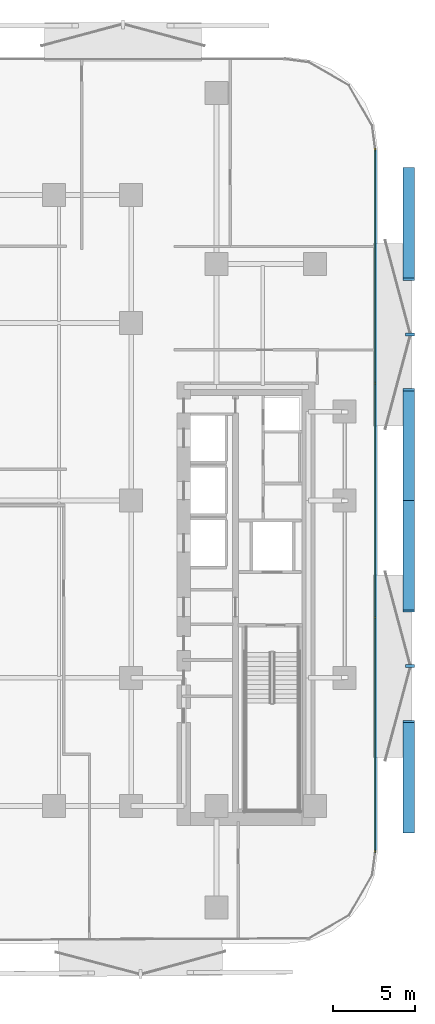
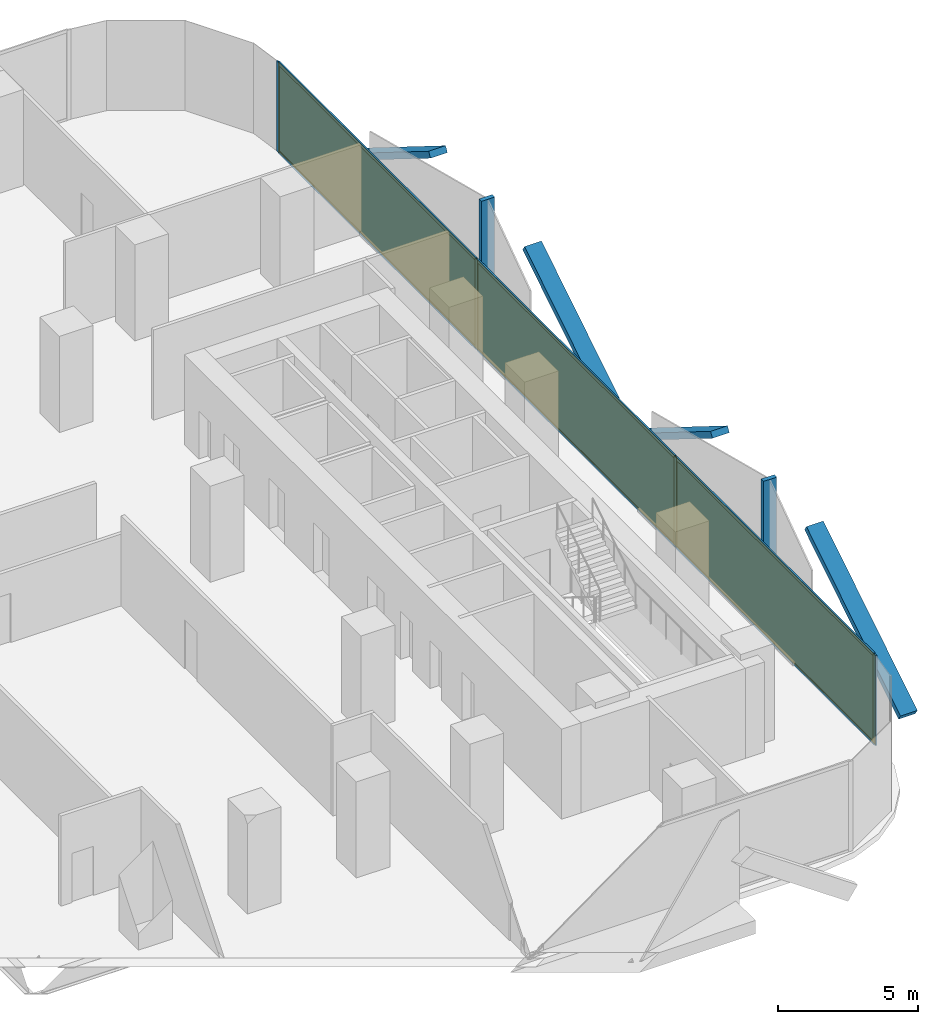
# One storey, part 9 of 15: 16 members, 3 plates, 1 curtain wall.
"""IFC4 building model written with IfcOpenShell, lengths in metres."""

from ifc_helpers import new_model, si_unit, direction, frame, frame_2d, origin, origin_2d, place, context, subcontext, project, spatial, rectangle, extrude, material, layer, layer_set, material_profile, profile_set, type_object, element, aggregate, save


model = new_model("IFC4")

# Units and contexts
model_context = context("Model", 3, precision=1e-05, world=origin(), true_north=direction((0.0, 1.0)))
body_context = subcontext(model_context, "Body", "Model", "MODEL_VIEW")
ifc_project = project(units=[si_unit("LENGTHUNIT", "METRE"), si_unit("AREAUNIT", "SQUARE_METRE"), si_unit("VOLUMEUNIT", "CUBIC_METRE"), si_unit("PLANEANGLEUNIT", "RADIAN"), si_unit("MASSUNIT", "GRAM", prefix="KILO")], contexts=[model_context])

# Member
ifc_material_1 = material(Name="Anodised Bronze Aluminium 6063-T6", Category="aluminium")
ifc_material_profile_1 = material_profile(ifc_material_1, rectangle(XDim=0.260009765625, YDim=0.699951171875, at=origin_2d()))
ifc_profile_set_1 = profile_set([ifc_material_profile_1], Name="Anodised Bronze Aluminium 6063-T6")
member_type_1 = type_object("IfcMemberType", Name="Bronze Diamond Solar-Screen Lattice Rib BDL-700", PredefinedType="MULLION", material=ifc_profile_set_1)
site_placement = place(None, origin())
building_placement = place(site_placement, origin())
storey_placement = place(building_placement, frame((0.0, 0.0, 76.39990234375)))
member_1_placement = place(storey_placement, frame((26.10009765625, 20.19091796875, -0.1298828125), z_axis=(0.0, -0.848371528126, 0.529401313057), x_axis=(0.0, -0.529401313057, -0.848371528126)))
member_1 = element("IfcMember", 1, at=member_1_placement, type_object=member_type_1, Name="L18 Bronze Diamond Solar Screen Lattice Rib 103A", PredefinedType="MULLION", context=body_context, shape_type="SweptSolid", body=[
    extrude(rectangle(XDim=0.260009765625, YDim=0.699951171875, at=origin_2d()), origin(), (0.0, 0.0, 1.0), 7.933349609375),
])

member_2_placement = place(storey_placement, frame((26.10009765625, 0.0, -0.1298828125), z_axis=(0.0, 0.848362902952, 0.529415134744), x_axis=(0.0, 0.529415134744, -0.848362902952)))
member_2 = element("IfcMember", 2, at=member_2_placement, type_object=member_type_1, Name="L18 Bronze Diamond Solar Screen Lattice Rib 103B", PredefinedType="MULLION", context=body_context, shape_type="SweptSolid", body=[
    extrude(rectangle(XDim=0.260009765625, YDim=0.699951171875, at=origin_2d()), origin(), (0.0, 0.0, 1.0), 7.93310546875),
])

member_3_placement = place(storey_placement, frame((26.10009765625, 0.0, -0.1298828125), z_axis=(0.0, -0.848362902952, 0.529415134744), x_axis=(0.0, -0.529415134744, -0.848362902952)))
member_3 = element("IfcMember", 3, at=member_3_placement, type_object=member_type_1, Name="L18 Bronze Diamond Solar Screen Lattice Rib 104A", PredefinedType="MULLION", context=body_context, shape_type="SweptSolid", body=[
    extrude(rectangle(XDim=0.260009765625, YDim=0.699951171875, at=origin_2d()), origin(), (0.0, 0.0, 1.0), 7.93310546875),
])

member_4_placement = place(storey_placement, frame((26.10009765625, -20.19091796875, -0.1298828125), z_axis=(0.0, 0.848371528126, 0.529401313057), x_axis=(0.0, 0.529401313057, -0.848371528126)))
member_4 = element("IfcMember", 4, at=member_4_placement, type_object=member_type_1, Name="L18 Bronze Diamond Solar Screen Lattice Rib 104B", PredefinedType="MULLION", context=body_context, shape_type="SweptSolid", body=[
    extrude(rectangle(XDim=0.260009765625, YDim=0.699951171875, at=origin_2d()), origin(), (0.0, 0.0, 1.0), 7.933349609375),
])

ifc_material_2 = material(Name="Anodised Bronze Aluminium 6063-T6", Category="aluminium")
ifc_material_profile_2 = material_profile(ifc_material_2, rectangle(XDim=0.179931640625, YDim=0.5400390625, at=origin_2d()))
ifc_profile_set_2 = profile_set([ifc_material_profile_2], Name="Anodised Bronze Aluminium 6063-T6")
member_type_2 = type_object("IfcMemberType", Name="Bronze Solar-Screen Vertical Fold Fin BSF-540", PredefinedType="MULLION", material=ifc_profile_set_2)
member_5_placement = place(storey_placement, frame((26.179931640625, 10.095458984375, -0.1298828125), z_axis=(0.0, 0.0, 1.0), x_axis=(0.0, -1.0, 0.0)))
member_5 = element("IfcMember", 5, at=member_5_placement, type_object=member_type_2, Name="L18 Bronze Solar Screen Vertical Fin 103", PredefinedType="MULLION", context=body_context, shape_type="SweptSolid", body=[
    extrude(rectangle(XDim=0.179931640625, YDim=0.5400390625, at=origin_2d()), origin(), (0.0, 0.0, 1.0), 4.199951171875),
])

member_6_placement = place(storey_placement, frame((26.179931640625, -10.095458984375, -0.1298828125), z_axis=(0.0, 0.0, 1.0), x_axis=(0.0, -1.0, 0.0)))
member_6 = element("IfcMember", 6, at=member_6_placement, type_object=member_type_2, Name="L18 Bronze Solar Screen Vertical Fin 104", PredefinedType="MULLION", context=body_context, shape_type="SweptSolid", body=[
    extrude(rectangle(XDim=0.179931640625, YDim=0.5400390625, at=origin_2d()), origin(), (0.0, 0.0, 1.0), 4.199951171875),
])

ifc_material_3 = material(Name="Anodised Bronze Aluminium 6063-T6", Category="aluminium")
ifc_material_profile_3 = material_profile(ifc_material_3, rectangle(XDim=0.06494140625, YDim=0.179931640625, at=origin_2d()))
ifc_profile_set_3 = profile_set([ifc_material_profile_3], Name="Anodised Bronze Aluminium 6063-T6")
member_type_3 = type_object("IfcMemberType", Name="CW-Z1 Mullion 65x180", PredefinedType="MULLION", material=ifc_profile_set_3)
member_7_placement = place(storey_placement, frame((24.06005859375, 21.3583984375, 0.0), z_axis=(0.0, 0.0, 1.0), x_axis=(1.0, 0.0, 0.0)))
member_7 = element("IfcMember", 7, at=member_7_placement, type_object=member_type_3, Name="CW-Z1 mullion 1", PredefinedType="MULLION", context=body_context, shape_type="SweptSolid", body=[
    extrude(rectangle(XDim=0.06494140625, YDim=0.179931640625, at=origin_2d()), origin(), (0.0, 0.0, 1.0), 3.940185546875),
])

member_8_placement = place(storey_placement, frame((24.06005859375, 7.13037109375, 0.0), z_axis=(0.0, 0.0, 1.0), x_axis=(1.0, 0.0, 0.0)))
member_8 = element("IfcMember", 8, at=member_8_placement, type_object=member_type_3, Name="CW-Z1 mullion 2", PredefinedType="MULLION", context=body_context, shape_type="SweptSolid", body=[
    extrude(rectangle(XDim=0.06494140625, YDim=0.179931640625, at=origin_2d()), origin(), (0.0, 0.0, 1.0), 3.940185546875),
])

member_9_placement = place(storey_placement, frame((24.06005859375, -7.13037109375, 0.0), z_axis=(0.0, 0.0, 1.0), x_axis=(1.0, 0.0, 0.0)))
member_9 = element("IfcMember", 9, at=member_9_placement, type_object=member_type_3, Name="CW-Z1 mullion 3", PredefinedType="MULLION", context=body_context, shape_type="SweptSolid", body=[
    extrude(rectangle(XDim=0.06494140625, YDim=0.179931640625, at=origin_2d()), origin(), (0.0, 0.0, 1.0), 3.940185546875),
])

member_10_placement = place(storey_placement, frame((24.06005859375, -21.3583984375, 0.0), z_axis=(0.0, 0.0, 1.0), x_axis=(1.0, 0.0, 0.0)))
member_10 = element("IfcMember", 10, at=member_10_placement, type_object=member_type_3, Name="CW-Z1 mullion 4", PredefinedType="MULLION", context=body_context, shape_type="SweptSolid", body=[
    extrude(rectangle(XDim=0.06494140625, YDim=0.179931640625, at=origin_2d()), origin(), (0.0, 0.0, 1.0), 3.940185546875),
])

ifc_material_4 = material(Name="Anodised Bronze Aluminium 6063-T6", Category="aluminium")
ifc_material_profile_4 = material_profile(ifc_material_4, rectangle(XDim=0.06494140625, YDim=0.139892578125, at=origin_2d()))
ifc_profile_set_4 = profile_set([ifc_material_profile_4], Name="Anodised Bronze Aluminium 6063-T6")
member_type_4 = type_object("IfcMemberType", Name="CW-Z1 Transom 65x140", PredefinedType="USERDEFINED", material=ifc_profile_set_4)
member_11_placement = place(storey_placement, frame((24.06005859375, 21.32568359375, 0.03271484375), z_axis=(0.0, -1.0, 0.0), x_axis=(1.0, 0.0, 0.0)))
member_11 = element("IfcMember", 11, at=member_11_placement, type_object=member_type_4, Name="CW-Z1 transom 1.1", ObjectType="TRANSOM", PredefinedType="USERDEFINED", context=body_context, shape_type="SweptSolid", body=[
    extrude(rectangle(XDim=0.06494140625, YDim=0.139892578125, at=origin_2d()), origin(), (0.0, 0.0, 1.0), 14.162841796875),
])

member_12_placement = place(storey_placement, frame((24.06005859375, 21.32568359375, 3.90771484375), z_axis=(0.0, -1.0, 0.0), x_axis=(1.0, 0.0, 0.0)))
member_12 = element("IfcMember", 12, at=member_12_placement, type_object=member_type_4, Name="CW-Z1 transom 1.2", ObjectType="TRANSOM", PredefinedType="USERDEFINED", context=body_context, shape_type="SweptSolid", body=[
    extrude(rectangle(XDim=0.06494140625, YDim=0.139892578125, at=origin_2d()), origin(), (0.0, 0.0, 1.0), 14.162841796875),
])

member_13_placement = place(storey_placement, frame((24.06005859375, 7.09765625, 0.03271484375), z_axis=(0.0, -1.0, 0.0), x_axis=(1.0, 0.0, 0.0)))
member_13 = element("IfcMember", 13, at=member_13_placement, type_object=member_type_4, Name="CW-Z1 transom 2.1", ObjectType="TRANSOM", PredefinedType="USERDEFINED", context=body_context, shape_type="SweptSolid", body=[
    extrude(rectangle(XDim=0.06494140625, YDim=0.139892578125, at=origin_2d()), origin(), (0.0, 0.0, 1.0), 14.1953125),
])

member_14_placement = place(storey_placement, frame((24.06005859375, 7.09765625, 3.90771484375), z_axis=(0.0, -1.0, 0.0), x_axis=(1.0, 0.0, 0.0)))
member_14 = element("IfcMember", 14, at=member_14_placement, type_object=member_type_4, Name="CW-Z1 transom 2.2", ObjectType="TRANSOM", PredefinedType="USERDEFINED", context=body_context, shape_type="SweptSolid", body=[
    extrude(rectangle(XDim=0.06494140625, YDim=0.139892578125, at=origin_2d()), origin(), (0.0, 0.0, 1.0), 14.1953125),
])

member_15_placement = place(storey_placement, frame((24.06005859375, -7.162841796875, 0.03271484375), z_axis=(0.0, -1.0, 0.0), x_axis=(1.0, 0.0, 0.0)))
member_15 = element("IfcMember", 15, at=member_15_placement, type_object=member_type_4, Name="CW-Z1 transom 3.1", ObjectType="TRANSOM", PredefinedType="USERDEFINED", context=body_context, shape_type="SweptSolid", body=[
    extrude(rectangle(XDim=0.06494140625, YDim=0.139892578125, at=origin_2d()), origin(), (0.0, 0.0, 1.0), 14.162841796875),
])

member_16_placement = place(storey_placement, frame((24.06005859375, -7.162841796875, 3.90771484375), z_axis=(0.0, -1.0, 0.0), x_axis=(1.0, 0.0, 0.0)))
member_16 = element("IfcMember", 16, at=member_16_placement, type_object=member_type_4, Name="CW-Z1 transom 3.2", ObjectType="TRANSOM", PredefinedType="USERDEFINED", context=body_context, shape_type="SweptSolid", body=[
    extrude(rectangle(XDim=0.06494140625, YDim=0.139892578125, at=origin_2d()), origin(), (0.0, 0.0, 1.0), 14.162841796875),
])

# Plate
ifc_material_5 = material(Name="Low-E Solar Control Laminated Glass", Category="glass")
ifc_layer_1 = layer(ifc_material_5, 0.028076171875, Name="Low-E Solar Control Laminated Glass")
ifc_layer_set_1 = layer_set([ifc_layer_1], Name="Low-E Solar Control Laminated Glass")
plate_type = type_object("IfcPlateType", Name="CW-Z1 Low-E Double Glazed Panel 28mm", PredefinedType="CURTAIN_PANEL", material=ifc_layer_set_1)
plate_1_placement = place(storey_placement, frame((24.06005859375, 14.244384765625, 0.065185546875), z_axis=(0.0, 0.0, 1.0), x_axis=(0.0, -1.0, 0.0)))
plate_1 = element("IfcPlate", 17, at=plate_1_placement, type_object=plate_type, Name="CW-Z1 panel 1.1", PredefinedType="CURTAIN_PANEL", context=body_context, shape_type="SweptSolid", body=[
    extrude(rectangle(XDim=14.1630859375, YDim=0.028076171875, at=origin_2d()), origin(), (0.0, 0.0, 1.0), 3.81005859375),
])

plate_2_placement = place(storey_placement, frame((24.06005859375, 0.0, 0.065185546875), z_axis=(0.0, 0.0, 1.0), x_axis=(0.0, -1.0, 0.0)))
plate_2 = element("IfcPlate", 18, at=plate_2_placement, type_object=plate_type, Name="CW-Z1 panel 2.1", PredefinedType="CURTAIN_PANEL", context=body_context, shape_type="SweptSolid", body=[
    extrude(rectangle(XDim=14.195556640625, YDim=0.028076171875, at=origin_2d()), origin(), (0.0, 0.0, 1.0), 3.81005859375),
])

plate_3_placement = place(storey_placement, frame((24.06005859375, -14.244384765625, 0.065185546875), z_axis=(0.0, 0.0, 1.0), x_axis=(0.0, -1.0, 0.0)))
plate_3 = element("IfcPlate", 19, at=plate_3_placement, type_object=plate_type, Name="CW-Z1 panel 3.1", PredefinedType="CURTAIN_PANEL", context=body_context, shape_type="SweptSolid", body=[
    extrude(rectangle(XDim=14.1630859375, YDim=0.028076171875, at=origin_2d()), origin(), (0.0, 0.0, 1.0), 3.81005859375),
])

# Site, building, storey
site = spatial("IfcSite", under=ifc_project, at=site_placement, CompositionType="ELEMENT")
building = spatial("IfcBuilding", under=site, at=building_placement, Name="Khairoan Windgate Tower", CompositionType="ELEMENT")
storey = spatial("IfcBuildingStorey", under=building, at=storey_placement, Name="L18", CompositionType="ELEMENT", Elevation=76.39990234375)

# Curtain wall
ifc_material_6 = material(Name="Anodised Bronze Aluminium 6063-T6", Category="aluminium")
ifc_layer_2 = layer(ifc_material_6, 0.179931640625, Name="Anodised Bronze Aluminium 6063-T6")
ifc_layer_set_2 = layer_set([ifc_layer_2], Name="Anodised Bronze Aluminium 6063-T6")
curtain_wall_type = type_object("IfcCurtainWallType", Name="Low-Rise Office Unitised Curtain Wall CW-Z1", PredefinedType="NOTDEFINED", material=ifc_layer_set_2)
curtain_wall_placement = place(storey_placement, frame((24.06005859375, 21.390869140625, 0.0), z_axis=(0.0, 0.0, 1.0), x_axis=(0.0, -1.0, 0.0)))
curtain_wall = element("IfcCurtainWall", 20, at=curtain_wall_placement, inside=storey, type_object=curtain_wall_type, Name="L18 Unitised Curtain Wall 16", PredefinedType="NOTDEFINED", context=body_context, shape_type="SweptSolid", body=[
    extrude(rectangle(XDim=42.78173828125, YDim=0.010009765625, at=frame_2d((21.390869140625, 0.0))), origin(), (0.0, 0.0, 1.0), 3.940185546875),
])

aggregate(curtain_wall, [member_7, member_8, member_9, member_10, member_11, member_12, plate_1, member_13, member_14, plate_2, member_15, member_16, plate_3, member_1, member_2, member_5, member_3, member_4, member_6])

save(model, "model.ifc")
